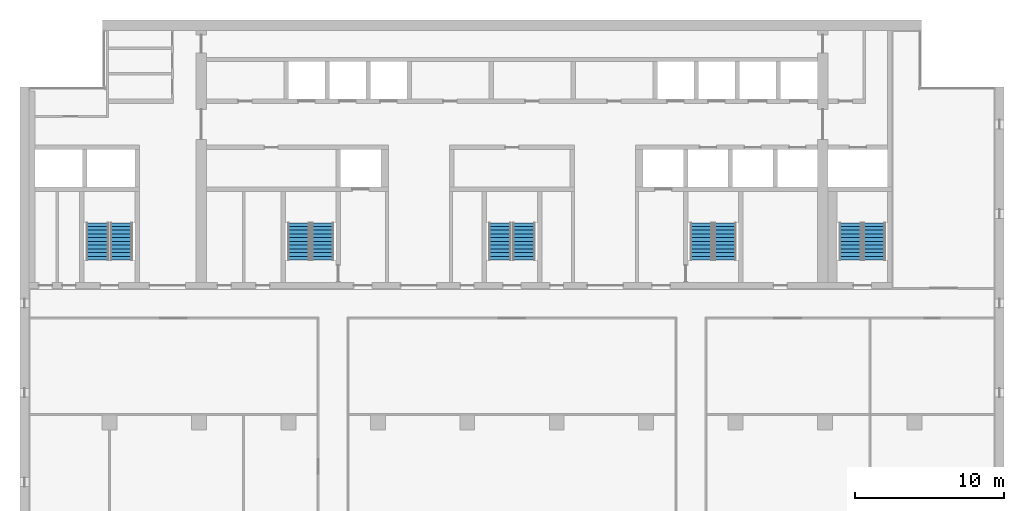
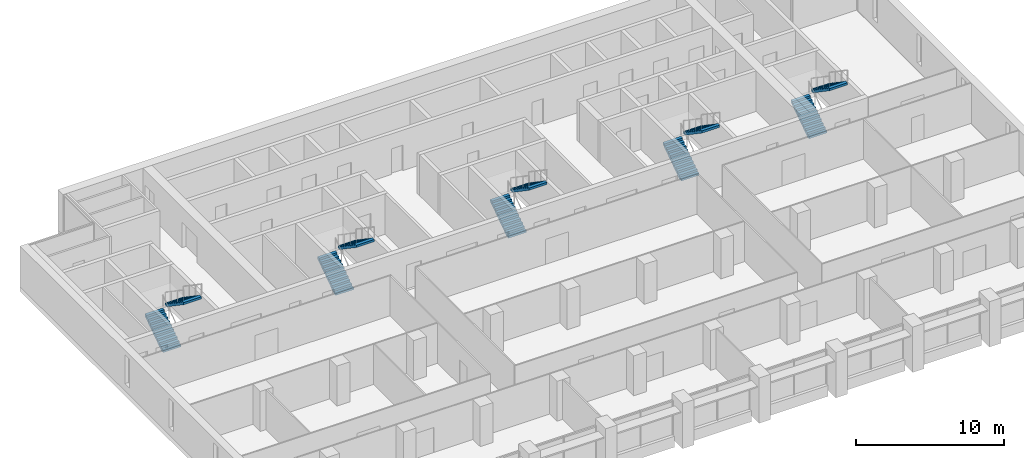
# One storey, part 13 of 17: 10 stair flights, 5 elements without a shape of their own.
"""IFC4 building model written with IfcOpenShell, lengths in metres."""

from ifc_helpers import new_model, si_unit, direction, frame, origin, place, context, subcontext, project, spatial, polyline, outline, extrude, material, type_object, element, aggregate, save


model = new_model("IFC4")

# Units and contexts
model_context = context("Model", 3, precision=1e-05, world=origin(), true_north=direction((0.0, 1.0)))
body_context = subcontext(model_context, "Body", "Model", "MODEL_VIEW")
ifc_project = project(units=[si_unit("LENGTHUNIT", "METRE"), si_unit("AREAUNIT", "SQUARE_METRE"), si_unit("VOLUMEUNIT", "CUBIC_METRE"), si_unit("PLANEANGLEUNIT", "RADIAN"), si_unit("MASSUNIT", "GRAM", prefix="KILO")], contexts=[model_context])

# Site, building, storey
site_placement = place(None, origin())
site = spatial("IfcSite", under=ifc_project, at=site_placement, CompositionType="ELEMENT")
building_placement = place(site_placement, origin())
building = spatial("IfcBuilding", under=site, at=building_placement, Name="Calvaro Tower", CompositionType="ELEMENT")
storey_placement = place(building_placement, frame((0.0, 0.0, 211.75)))
storey = spatial("IfcBuildingStorey", under=building, at=storey_placement, Name="L53", CompositionType="ELEMENT", Elevation=211.75)

# Stair, stair flights
ifc_material_1 = material(Name="Concrete C40/50", Category="concrete")
stair_type = type_object("IfcStairType", Name="Exit stair 1400 2 flights", PredefinedType="HALF_TURN_STAIR", material=ifc_material_1)
stair_1_placement = place(storey_placement, origin())
stair_1 = element("IfcStair", 1, at=stair_1_placement, inside=storey, type_object=stair_type, Name="Exit stair S1", PredefinedType="HALF_TURN_STAIR")
ifc_material_2 = material(Name="Concrete C40/50", Category="concrete")
stair_flight_type = type_object("IfcStairFlightType", Name="Stair flight", PredefinedType="STRAIGHT", material=ifc_material_2)
stair_flight_1_placement = place(storey_placement, frame((11.199951171875, 29.89990234375, 0.0), z_axis=(0.0, 0.0, 1.0), x_axis=(0.0, 1.0, 0.0)))
stair_flight_1 = element("IfcStairFlight", 2, at=stair_flight_1_placement, type_object=stair_flight_type, Name="Exit stair 1, flight 1", NumberOfRisers=11, NumberOfTreads=10, PredefinedType="STRAIGHT", RiserHeight=0.170454545, TreadLength=0.25, context=body_context, shape_type="SweptSolid", body=[
    extrude(outline(polyline([(0.0, 0.0), (0.0, 0.17041015625), (0.25, 0.17041015625), (0.25, 0.3408203125), (0.5, 0.3408203125), (0.5, 0.511474609375), (0.75, 0.511474609375), (0.75, 0.681884765625), (1.0, 0.681884765625), (1.0, 0.852294921875), (1.25, 0.852294921875), (1.25, 1.022705078125), (1.5, 1.022705078125), (1.5, 1.193115234375), (1.75, 1.193115234375), (1.75, 1.363525390625), (2.0, 1.363525390625), (2.0, 1.5341796875), (2.25, 1.5341796875), (2.25, 1.70458984375), (2.5, 1.70458984375), (2.5, 1.875), (2.5, 1.523193359375), (0.26611328125, 0.0), (0.0, 0.0)])), frame((0.0, 0.699951171875, 0.0), z_axis=(0.0, -1.0, 0.0), x_axis=(1.0, 0.0, 0.0)), (0.0, 0.0, 1.0), 1.39990234375),
])
stair_flight_2_placement = place(storey_placement, frame((12.800048828125, 32.39990234375, 1.875), z_axis=(0.0, 0.0, 1.0), x_axis=(0.0, -1.0, 0.0)))
stair_flight_2 = element("IfcStairFlight", 3, at=stair_flight_2_placement, type_object=stair_flight_type, Name="Exit stair 1, flight 2", NumberOfRisers=11, NumberOfTreads=10, PredefinedType="STRAIGHT", RiserHeight=0.170454545, TreadLength=0.25, context=body_context, shape_type="SweptSolid", body=[
    extrude(outline(polyline([(0.0, 0.0), (0.0, 0.17041015625), (0.25, 0.17041015625), (0.25, 0.3408203125), (0.5, 0.3408203125), (0.5, 0.511474609375), (0.75, 0.511474609375), (0.75, 0.681884765625), (1.0, 0.681884765625), (1.0, 0.852294921875), (1.25, 0.852294921875), (1.25, 1.022705078125), (1.5, 1.022705078125), (1.5, 1.193115234375), (1.75, 1.193115234375), (1.75, 1.363525390625), (2.0, 1.363525390625), (2.0, 1.5341796875), (2.25, 1.5341796875), (2.25, 1.70458984375), (2.5, 1.70458984375), (2.5, 1.875), (2.5, 1.523193359375), (0.26611328125, 0.0), (0.0, 0.0)])), frame((0.0, 0.699951171875, 0.0), z_axis=(0.0, -1.0, 0.0), x_axis=(1.0, 0.0, 0.0)), (0.0, 0.0, 1.0), 1.39990234375),
])
aggregate(stair_1, [stair_flight_1, stair_flight_2])

stair_2_placement = place(storey_placement, origin())
stair_2 = element("IfcStair", 4, at=stair_2_placement, inside=storey, type_object=stair_type, Name="Exit stair S2", PredefinedType="HALF_TURN_STAIR")
stair_flight_3_placement = place(storey_placement, frame((24.699951171875, 29.89990234375, 0.0), z_axis=(0.0, 0.0, 1.0), x_axis=(0.0, 1.0, 0.0)))
stair_flight_3 = element("IfcStairFlight", 5, at=stair_flight_3_placement, type_object=stair_flight_type, Name="Exit stair 2, flight 1", NumberOfRisers=11, NumberOfTreads=10, PredefinedType="STRAIGHT", RiserHeight=0.170454545, TreadLength=0.25, context=body_context, shape_type="SweptSolid", body=[
    extrude(outline(polyline([(0.0, 0.0), (0.0, 0.17041015625), (0.25, 0.17041015625), (0.25, 0.3408203125), (0.5, 0.3408203125), (0.5, 0.511474609375), (0.75, 0.511474609375), (0.75, 0.681884765625), (1.0, 0.681884765625), (1.0, 0.852294921875), (1.25, 0.852294921875), (1.25, 1.022705078125), (1.5, 1.022705078125), (1.5, 1.193115234375), (1.75, 1.193115234375), (1.75, 1.363525390625), (2.0, 1.363525390625), (2.0, 1.5341796875), (2.25, 1.5341796875), (2.25, 1.70458984375), (2.5, 1.70458984375), (2.5, 1.875), (2.5, 1.523193359375), (0.26611328125, 0.0), (0.0, 0.0)])), frame((0.0, 0.699951171875, 0.0), z_axis=(0.0, -1.0, 0.0), x_axis=(1.0, 0.0, 0.0)), (0.0, 0.0, 1.0), 1.39990234375),
])
stair_flight_4_placement = place(storey_placement, frame((26.300048828125, 32.39990234375, 1.875), z_axis=(0.0, 0.0, 1.0), x_axis=(0.0, -1.0, 0.0)))
stair_flight_4 = element("IfcStairFlight", 6, at=stair_flight_4_placement, type_object=stair_flight_type, Name="Exit stair 2, flight 2", NumberOfRisers=11, NumberOfTreads=10, PredefinedType="STRAIGHT", RiserHeight=0.170454545, TreadLength=0.25, context=body_context, shape_type="SweptSolid", body=[
    extrude(outline(polyline([(0.0, 0.0), (0.0, 0.17041015625), (0.25, 0.17041015625), (0.25, 0.3408203125), (0.5, 0.3408203125), (0.5, 0.511474609375), (0.75, 0.511474609375), (0.75, 0.681884765625), (1.0, 0.681884765625), (1.0, 0.852294921875), (1.25, 0.852294921875), (1.25, 1.022705078125), (1.5, 1.022705078125), (1.5, 1.193115234375), (1.75, 1.193115234375), (1.75, 1.363525390625), (2.0, 1.363525390625), (2.0, 1.5341796875), (2.25, 1.5341796875), (2.25, 1.70458984375), (2.5, 1.70458984375), (2.5, 1.875), (2.5, 1.523193359375), (0.26611328125, 0.0), (0.0, 0.0)])), frame((0.0, 0.699951171875, 0.0), z_axis=(0.0, -1.0, 0.0), x_axis=(1.0, 0.0, 0.0)), (0.0, 0.0, 1.0), 1.39990234375),
])
aggregate(stair_2, [stair_flight_3, stair_flight_4])

stair_3_placement = place(storey_placement, origin())
stair_3 = element("IfcStair", 7, at=stair_3_placement, inside=storey, type_object=stair_type, Name="Exit stair S3", PredefinedType="HALF_TURN_STAIR")
stair_flight_5_placement = place(storey_placement, frame((38.199951171875, 29.89990234375, 0.0), z_axis=(0.0, 0.0, 1.0), x_axis=(0.0, 1.0, 0.0)))
stair_flight_5 = element("IfcStairFlight", 8, at=stair_flight_5_placement, type_object=stair_flight_type, Name="Exit stair 3, flight 1", NumberOfRisers=11, NumberOfTreads=10, PredefinedType="STRAIGHT", RiserHeight=0.170454545, TreadLength=0.25, context=body_context, shape_type="SweptSolid", body=[
    extrude(outline(polyline([(0.0, 0.0), (0.0, 0.17041015625), (0.25, 0.17041015625), (0.25, 0.3408203125), (0.5, 0.3408203125), (0.5, 0.511474609375), (0.75, 0.511474609375), (0.75, 0.681884765625), (1.0, 0.681884765625), (1.0, 0.852294921875), (1.25, 0.852294921875), (1.25, 1.022705078125), (1.5, 1.022705078125), (1.5, 1.193115234375), (1.75, 1.193115234375), (1.75, 1.363525390625), (2.0, 1.363525390625), (2.0, 1.5341796875), (2.25, 1.5341796875), (2.25, 1.70458984375), (2.5, 1.70458984375), (2.5, 1.875), (2.5, 1.523193359375), (0.26611328125, 0.0), (0.0, 0.0)])), frame((0.0, 0.699951171875, 0.0), z_axis=(0.0, -1.0, 0.0), x_axis=(1.0, 0.0, 0.0)), (0.0, 0.0, 1.0), 1.39990234375),
])
stair_flight_6_placement = place(storey_placement, frame((39.800048828125, 32.39990234375, 1.875), z_axis=(0.0, 0.0, 1.0), x_axis=(0.0, -1.0, 0.0)))
stair_flight_6 = element("IfcStairFlight", 9, at=stair_flight_6_placement, type_object=stair_flight_type, Name="Exit stair 3, flight 2", NumberOfRisers=11, NumberOfTreads=10, PredefinedType="STRAIGHT", RiserHeight=0.170454545, TreadLength=0.25, context=body_context, shape_type="SweptSolid", body=[
    extrude(outline(polyline([(0.0, 0.0), (0.0, 0.17041015625), (0.25, 0.17041015625), (0.25, 0.3408203125), (0.5, 0.3408203125), (0.5, 0.511474609375), (0.75, 0.511474609375), (0.75, 0.681884765625), (1.0, 0.681884765625), (1.0, 0.852294921875), (1.25, 0.852294921875), (1.25, 1.022705078125), (1.5, 1.022705078125), (1.5, 1.193115234375), (1.75, 1.193115234375), (1.75, 1.363525390625), (2.0, 1.363525390625), (2.0, 1.5341796875), (2.25, 1.5341796875), (2.25, 1.70458984375), (2.5, 1.70458984375), (2.5, 1.875), (2.5, 1.523193359375), (0.26611328125, 0.0), (0.0, 0.0)])), frame((0.0, 0.699951171875, 0.0), z_axis=(0.0, -1.0, 0.0), x_axis=(1.0, 0.0, 0.0)), (0.0, 0.0, 1.0), 1.39990234375),
])
aggregate(stair_3, [stair_flight_5, stair_flight_6])

stair_4_placement = place(storey_placement, origin())
stair_4 = element("IfcStair", 10, at=stair_4_placement, inside=storey, type_object=stair_type, Name="Exit stair S4", PredefinedType="HALF_TURN_STAIR")
stair_flight_7_placement = place(storey_placement, frame((51.699951171875, 29.89990234375, 0.0), z_axis=(0.0, 0.0, 1.0), x_axis=(0.0, 1.0, 0.0)))
stair_flight_7 = element("IfcStairFlight", 11, at=stair_flight_7_placement, type_object=stair_flight_type, Name="Exit stair 4, flight 1", NumberOfRisers=11, NumberOfTreads=10, PredefinedType="STRAIGHT", RiserHeight=0.170454545, TreadLength=0.25, context=body_context, shape_type="SweptSolid", body=[
    extrude(outline(polyline([(0.0, 0.0), (0.0, 0.17041015625), (0.25, 0.17041015625), (0.25, 0.3408203125), (0.5, 0.3408203125), (0.5, 0.511474609375), (0.75, 0.511474609375), (0.75, 0.681884765625), (1.0, 0.681884765625), (1.0, 0.852294921875), (1.25, 0.852294921875), (1.25, 1.022705078125), (1.5, 1.022705078125), (1.5, 1.193115234375), (1.75, 1.193115234375), (1.75, 1.363525390625), (2.0, 1.363525390625), (2.0, 1.5341796875), (2.25, 1.5341796875), (2.25, 1.70458984375), (2.5, 1.70458984375), (2.5, 1.875), (2.5, 1.523193359375), (0.26611328125, 0.0), (0.0, 0.0)])), frame((0.0, 0.699951171875, 0.0), z_axis=(0.0, -1.0, 0.0), x_axis=(1.0, 0.0, 0.0)), (0.0, 0.0, 1.0), 1.39990234375),
])
stair_flight_8_placement = place(storey_placement, frame((53.300048828125, 32.39990234375, 1.875), z_axis=(0.0, 0.0, 1.0), x_axis=(0.0, -1.0, 0.0)))
stair_flight_8 = element("IfcStairFlight", 12, at=stair_flight_8_placement, type_object=stair_flight_type, Name="Exit stair 4, flight 2", NumberOfRisers=11, NumberOfTreads=10, PredefinedType="STRAIGHT", RiserHeight=0.170454545, TreadLength=0.25, context=body_context, shape_type="SweptSolid", body=[
    extrude(outline(polyline([(0.0, 0.0), (0.0, 0.17041015625), (0.25, 0.17041015625), (0.25, 0.3408203125), (0.5, 0.3408203125), (0.5, 0.511474609375), (0.75, 0.511474609375), (0.75, 0.681884765625), (1.0, 0.681884765625), (1.0, 0.852294921875), (1.25, 0.852294921875), (1.25, 1.022705078125), (1.5, 1.022705078125), (1.5, 1.193115234375), (1.75, 1.193115234375), (1.75, 1.363525390625), (2.0, 1.363525390625), (2.0, 1.5341796875), (2.25, 1.5341796875), (2.25, 1.70458984375), (2.5, 1.70458984375), (2.5, 1.875), (2.5, 1.523193359375), (0.26611328125, 0.0), (0.0, 0.0)])), frame((0.0, 0.699951171875, 0.0), z_axis=(0.0, -1.0, 0.0), x_axis=(1.0, 0.0, 0.0)), (0.0, 0.0, 1.0), 1.39990234375),
])
aggregate(stair_4, [stair_flight_7, stair_flight_8])

stair_5_placement = place(storey_placement, origin())
stair_5 = element("IfcStair", 13, at=stair_5_placement, inside=storey, type_object=stair_type, Name="Exit stair S5", PredefinedType="HALF_TURN_STAIR")
stair_flight_9_placement = place(storey_placement, frame((61.699951171875, 29.89990234375, 0.0), z_axis=(0.0, 0.0, 1.0), x_axis=(0.0, 1.0, 0.0)))
stair_flight_9 = element("IfcStairFlight", 14, at=stair_flight_9_placement, type_object=stair_flight_type, Name="Exit stair 5, flight 1", NumberOfRisers=11, NumberOfTreads=10, PredefinedType="STRAIGHT", RiserHeight=0.170454545, TreadLength=0.25, context=body_context, shape_type="SweptSolid", body=[
    extrude(outline(polyline([(0.0, 0.0), (0.0, 0.17041015625), (0.25, 0.17041015625), (0.25, 0.3408203125), (0.5, 0.3408203125), (0.5, 0.511474609375), (0.75, 0.511474609375), (0.75, 0.681884765625), (1.0, 0.681884765625), (1.0, 0.852294921875), (1.25, 0.852294921875), (1.25, 1.022705078125), (1.5, 1.022705078125), (1.5, 1.193115234375), (1.75, 1.193115234375), (1.75, 1.363525390625), (2.0, 1.363525390625), (2.0, 1.5341796875), (2.25, 1.5341796875), (2.25, 1.70458984375), (2.5, 1.70458984375), (2.5, 1.875), (2.5, 1.523193359375), (0.26611328125, 0.0), (0.0, 0.0)])), frame((0.0, 0.699951171875, 0.0), z_axis=(0.0, -1.0, 0.0), x_axis=(1.0, 0.0, 0.0)), (0.0, 0.0, 1.0), 1.39990234375),
])
stair_flight_10_placement = place(storey_placement, frame((63.300048828125, 32.39990234375, 1.875), z_axis=(0.0, 0.0, 1.0), x_axis=(0.0, -1.0, 0.0)))
stair_flight_10 = element("IfcStairFlight", 15, at=stair_flight_10_placement, type_object=stair_flight_type, Name="Exit stair 5, flight 2", NumberOfRisers=11, NumberOfTreads=10, PredefinedType="STRAIGHT", RiserHeight=0.170454545, TreadLength=0.25, context=body_context, shape_type="SweptSolid", body=[
    extrude(outline(polyline([(0.0, 0.0), (0.0, 0.17041015625), (0.25, 0.17041015625), (0.25, 0.3408203125), (0.5, 0.3408203125), (0.5, 0.511474609375), (0.75, 0.511474609375), (0.75, 0.681884765625), (1.0, 0.681884765625), (1.0, 0.852294921875), (1.25, 0.852294921875), (1.25, 1.022705078125), (1.5, 1.022705078125), (1.5, 1.193115234375), (1.75, 1.193115234375), (1.75, 1.363525390625), (2.0, 1.363525390625), (2.0, 1.5341796875), (2.25, 1.5341796875), (2.25, 1.70458984375), (2.5, 1.70458984375), (2.5, 1.875), (2.5, 1.523193359375), (0.26611328125, 0.0), (0.0, 0.0)])), frame((0.0, 0.699951171875, 0.0), z_axis=(0.0, -1.0, 0.0), x_axis=(1.0, 0.0, 0.0)), (0.0, 0.0, 1.0), 1.39990234375),
])
aggregate(stair_5, [stair_flight_9, stair_flight_10])

save(model, "model.ifc")
